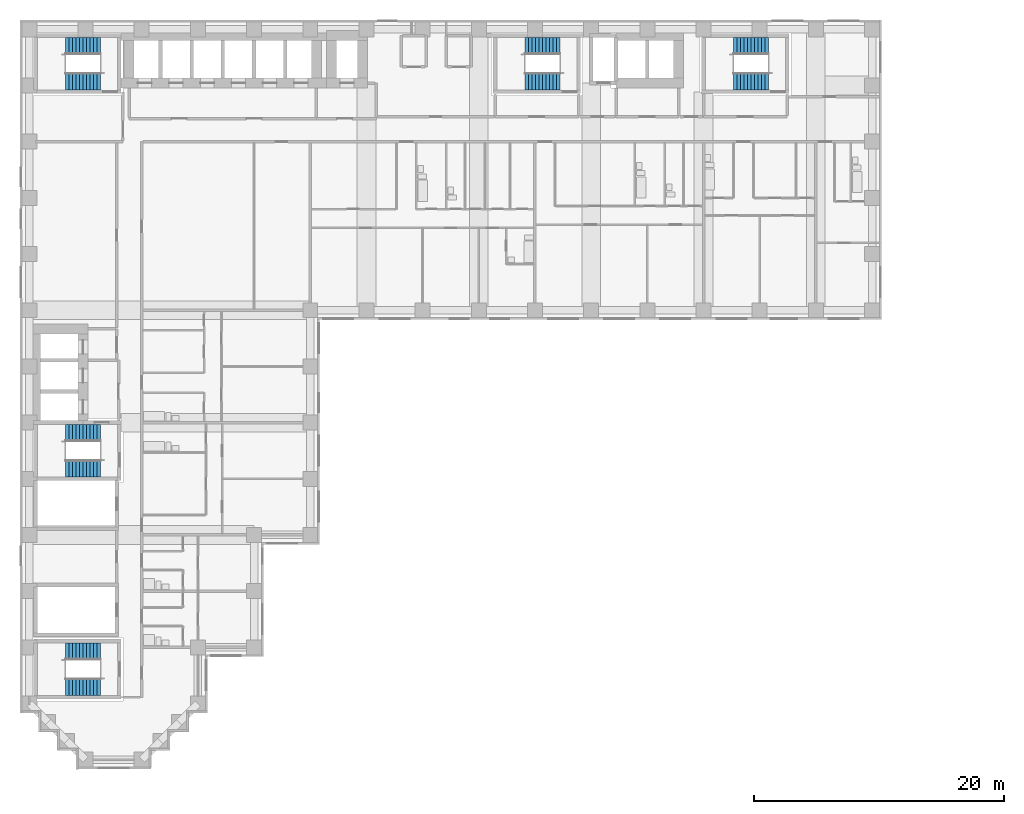
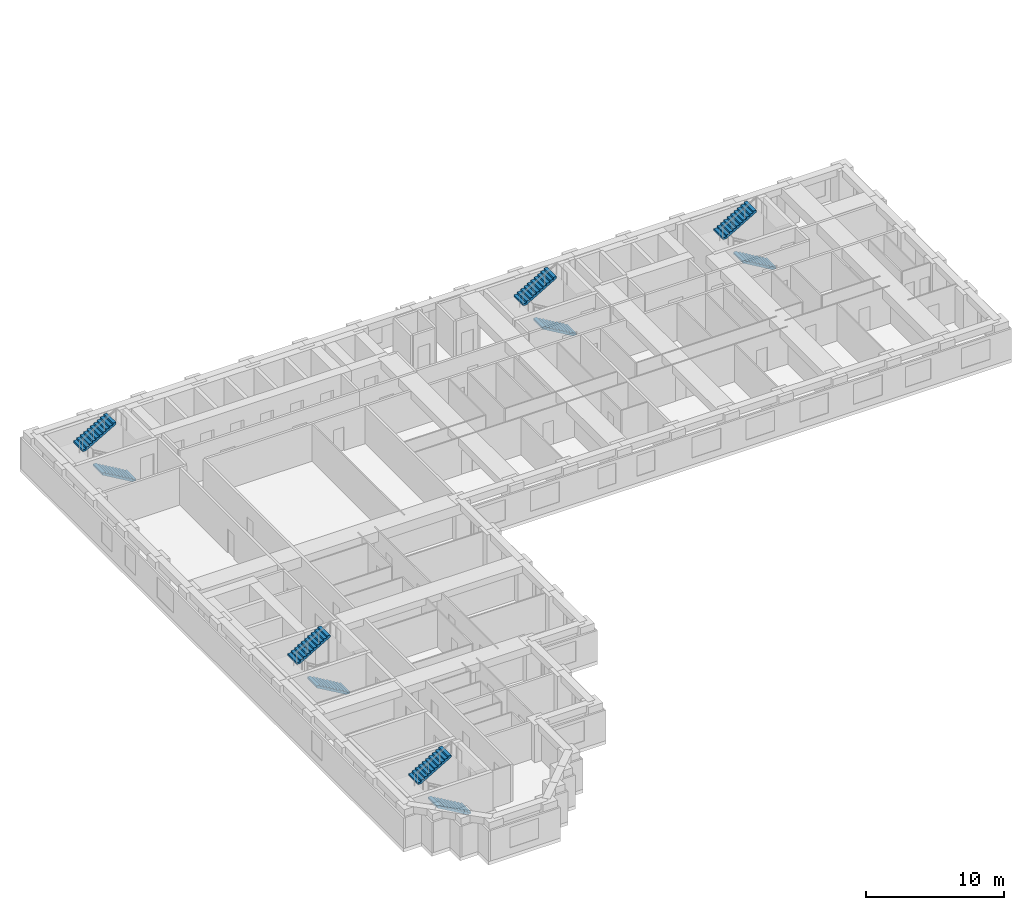
# One storey, part 12 of 14: 10 stair flights, 5 elements without a shape of their own.
"""IFC4 building model written with IfcOpenShell, lengths in metres."""

from ifc_helpers import new_model, si_unit, direction, frame, origin, place, context, subcontext, project, spatial, polyline, outline, extrude, material, type_object, element, aggregate, save


model = new_model("IFC4")

# Units and contexts
model_context = context("Model", 3, precision=1e-05, world=origin(), true_north=direction((0.0, 1.0)))
body_context = subcontext(model_context, "Body", "Model", "MODEL_VIEW")
ifc_project = project(units=[si_unit("LENGTHUNIT", "METRE"), si_unit("AREAUNIT", "SQUARE_METRE"), si_unit("VOLUMEUNIT", "CUBIC_METRE"), si_unit("PLANEANGLEUNIT", "RADIAN"), si_unit("MASSUNIT", "GRAM", prefix="KILO")], contexts=[model_context])

# Site, building, storey
site_placement = place(None, origin())
site = spatial("IfcSite", under=ifc_project, at=site_placement, CompositionType="ELEMENT")
building_placement = place(site_placement, origin())
building = spatial("IfcBuilding", under=site, at=building_placement, Name="Firuza Court", CompositionType="ELEMENT")
storey_placement = place(building_placement, frame((0.0, 0.0, 32.60009765625)))
storey = spatial("IfcBuildingStorey", under=building, at=storey_placement, Name="L06", CompositionType="ELEMENT", Elevation=32.60009765625)

# Stair, stair flights
ifc_material_1 = material(Name="Concrete C40/50 precast", Category="concrete")
stair_type = type_object("IfcStairType", Name="Stair 1350 x 3600 2 flights", PredefinedType="HALF_TURN_STAIR", material=ifc_material_1)
stair_1_placement = place(storey_placement, origin())
stair_1 = element("IfcStair", 1, at=stair_1_placement, inside=storey, type_object=stair_type, Name="Stair 1 L06", PredefinedType="HALF_TURN_STAIR")
ifc_material_2 = material(Name="Concrete C40/50 precast", Category="concrete")
stair_flight_type = type_object("IfcStairFlightType", Name="Flight 1350 riser 163.6", PredefinedType="STRAIGHT", material=ifc_material_2)
stair_flight_1_placement = place(storey_placement, frame((42.5, 54.324951171875, 0.0), z_axis=(0.0, 0.0, 1.0), x_axis=(-1.0, 0.0, 0.0)))
stair_flight_1 = element("IfcStairFlight", 2, at=stair_flight_1_placement, type_object=stair_flight_type, Name="S1 flight 1", NumberOfRisers=11, NumberOfTreads=10, PredefinedType="STRAIGHT", RiserHeight=0.163636364, TreadLength=0.28, context=body_context, shape_type="SweptSolid", body=[
    extrude(outline(polyline([(0.0, 0.0), (0.0, 0.16357421875), (0.280029296875, 0.16357421875), (0.280029296875, 0.327392578125), (0.56005859375, 0.327392578125), (0.56005859375, 0.490966796875), (0.840087890625, 0.490966796875), (0.840087890625, 0.654541015625), (1.1201171875, 0.654541015625), (1.1201171875, 0.818115234375), (1.39990234375, 0.818115234375), (1.39990234375, 0.98193359375), (1.679931640625, 0.98193359375), (1.679931640625, 1.1455078125), (1.9599609375, 1.1455078125), (1.9599609375, 1.30908203125), (2.239990234375, 1.30908203125), (2.239990234375, 1.47265625), (2.52001953125, 1.47265625), (2.52001953125, 1.636474609375), (2.800048828125, 1.636474609375), (2.800048828125, 1.800048828125), (2.800048828125, 1.462646484375), (0.297119140625, 0.0), (0.0, 0.0)])), frame((0.0, 0.675048828125, 0.0), z_axis=(0.0, -1.0, 0.0), x_axis=(1.0, 0.0, 0.0)), (0.0, 0.0, 1.0), 1.35009765625),
])
stair_flight_2_placement = place(storey_placement, frame((39.699951171875, 57.175048828125, 1.7998046875), z_axis=(0.0, 0.0, 1.0), x_axis=(1.0, 0.0, 0.0)))
stair_flight_2 = element("IfcStairFlight", 3, at=stair_flight_2_placement, type_object=stair_flight_type, Name="S1 flight 2", NumberOfRisers=11, NumberOfTreads=10, PredefinedType="STRAIGHT", RiserHeight=0.163636364, TreadLength=0.28, context=body_context, shape_type="SweptSolid", body=[
    extrude(outline(polyline([(0.0, 0.0), (0.0, 0.16357421875), (0.280029296875, 0.16357421875), (0.280029296875, 0.327392578125), (0.56005859375, 0.327392578125), (0.56005859375, 0.490966796875), (0.840087890625, 0.490966796875), (0.840087890625, 0.654541015625), (1.1201171875, 0.654541015625), (1.1201171875, 0.818115234375), (1.39990234375, 0.818115234375), (1.39990234375, 0.98193359375), (1.679931640625, 0.98193359375), (1.679931640625, 1.1455078125), (1.9599609375, 1.1455078125), (1.9599609375, 1.30908203125), (2.239990234375, 1.30908203125), (2.239990234375, 1.47265625), (2.52001953125, 1.47265625), (2.52001953125, 1.636474609375), (2.800048828125, 1.636474609375), (2.800048828125, 1.800048828125), (2.800048828125, 1.462646484375), (0.297119140625, 0.0), (0.0, 0.0)])), frame((0.0, 0.675048828125, 0.0), z_axis=(0.0, -1.0, 0.0), x_axis=(1.0, 0.0, 0.0)), (0.0, 0.0, 1.0), 1.35009765625),
])
aggregate(stair_1, [stair_flight_1, stair_flight_2])

stair_2_placement = place(storey_placement, origin())
stair_2 = element("IfcStair", 4, at=stair_2_placement, inside=storey, type_object=stair_type, Name="Stair 2 L06", PredefinedType="HALF_TURN_STAIR")
stair_flight_3_placement = place(storey_placement, frame((5.699951171875, 23.324951171875, 0.0), z_axis=(0.0, 0.0, 1.0), x_axis=(-1.0, 0.0, 0.0)))
stair_flight_3 = element("IfcStairFlight", 5, at=stair_flight_3_placement, type_object=stair_flight_type, Name="S2 flight 1", NumberOfRisers=11, NumberOfTreads=10, PredefinedType="STRAIGHT", RiserHeight=0.163636364, TreadLength=0.28, context=body_context, shape_type="SweptSolid", body=[
    extrude(outline(polyline([(0.0, 0.0), (0.0, 0.16357421875), (0.280029296875, 0.16357421875), (0.280029296875, 0.327392578125), (0.56005859375, 0.327392578125), (0.56005859375, 0.490966796875), (0.840087890625, 0.490966796875), (0.840087890625, 0.654541015625), (1.1201171875, 0.654541015625), (1.1201171875, 0.818115234375), (1.39990234375, 0.818115234375), (1.39990234375, 0.98193359375), (1.679931640625, 0.98193359375), (1.679931640625, 1.1455078125), (1.9599609375, 1.1455078125), (1.9599609375, 1.30908203125), (2.239990234375, 1.30908203125), (2.239990234375, 1.47265625), (2.52001953125, 1.47265625), (2.52001953125, 1.636474609375), (2.800048828125, 1.636474609375), (2.800048828125, 1.800048828125), (2.800048828125, 1.462646484375), (0.297119140625, 0.0), (0.0, 0.0)])), frame((0.0, 0.675048828125, 0.0), z_axis=(0.0, -1.0, 0.0), x_axis=(1.0, 0.0, 0.0)), (0.0, 0.0, 1.0), 1.35009765625),
])
stair_flight_4_placement = place(storey_placement, frame((2.89990234375, 26.175048828125, 1.7998046875), z_axis=(0.0, 0.0, 1.0), x_axis=(1.0, 0.0, 0.0)))
stair_flight_4 = element("IfcStairFlight", 6, at=stair_flight_4_placement, type_object=stair_flight_type, Name="S2 flight 2", NumberOfRisers=11, NumberOfTreads=10, PredefinedType="STRAIGHT", RiserHeight=0.163636364, TreadLength=0.28, context=body_context, shape_type="SweptSolid", body=[
    extrude(outline(polyline([(0.0, 0.0), (0.0, 0.16357421875), (0.280029296875, 0.16357421875), (0.280029296875, 0.327392578125), (0.56005859375, 0.327392578125), (0.56005859375, 0.490966796875), (0.840087890625, 0.490966796875), (0.840087890625, 0.654541015625), (1.1201171875, 0.654541015625), (1.1201171875, 0.818115234375), (1.39990234375, 0.818115234375), (1.39990234375, 0.98193359375), (1.679931640625, 0.98193359375), (1.679931640625, 1.1455078125), (1.9599609375, 1.1455078125), (1.9599609375, 1.30908203125), (2.239990234375, 1.30908203125), (2.239990234375, 1.47265625), (2.52001953125, 1.47265625), (2.52001953125, 1.636474609375), (2.800048828125, 1.636474609375), (2.800048828125, 1.800048828125), (2.800048828125, 1.462646484375), (0.297119140625, 0.0), (0.0, 0.0)])), frame((0.0, 0.675048828125, 0.0), z_axis=(0.0, -1.0, 0.0), x_axis=(1.0, 0.0, 0.0)), (0.0, 0.0, 1.0), 1.35009765625),
])
aggregate(stair_2, [stair_flight_3, stair_flight_4])

stair_3_placement = place(storey_placement, origin())
stair_3 = element("IfcStair", 7, at=stair_3_placement, inside=storey, type_object=stair_type, Name="Stair 3 L06", PredefinedType="HALF_TURN_STAIR")
stair_flight_5_placement = place(storey_placement, frame((5.699951171875, 54.324951171875, 0.0), z_axis=(0.0, 0.0, 1.0), x_axis=(-1.0, 0.0, 0.0)))
stair_flight_5 = element("IfcStairFlight", 8, at=stair_flight_5_placement, type_object=stair_flight_type, Name="S3 flight 1", NumberOfRisers=11, NumberOfTreads=10, PredefinedType="STRAIGHT", RiserHeight=0.163636364, TreadLength=0.28, context=body_context, shape_type="SweptSolid", body=[
    extrude(outline(polyline([(0.0, 0.0), (0.0, 0.16357421875), (0.280029296875, 0.16357421875), (0.280029296875, 0.327392578125), (0.56005859375, 0.327392578125), (0.56005859375, 0.490966796875), (0.840087890625, 0.490966796875), (0.840087890625, 0.654541015625), (1.1201171875, 0.654541015625), (1.1201171875, 0.818115234375), (1.39990234375, 0.818115234375), (1.39990234375, 0.98193359375), (1.679931640625, 0.98193359375), (1.679931640625, 1.1455078125), (1.9599609375, 1.1455078125), (1.9599609375, 1.30908203125), (2.239990234375, 1.30908203125), (2.239990234375, 1.47265625), (2.52001953125, 1.47265625), (2.52001953125, 1.636474609375), (2.800048828125, 1.636474609375), (2.800048828125, 1.800048828125), (2.800048828125, 1.462646484375), (0.297119140625, 0.0), (0.0, 0.0)])), frame((0.0, 0.675048828125, 0.0), z_axis=(0.0, -1.0, 0.0), x_axis=(1.0, 0.0, 0.0)), (0.0, 0.0, 1.0), 1.35009765625),
])
stair_flight_6_placement = place(storey_placement, frame((2.89990234375, 57.175048828125, 1.7998046875), z_axis=(0.0, 0.0, 1.0), x_axis=(1.0, 0.0, 0.0)))
stair_flight_6 = element("IfcStairFlight", 9, at=stair_flight_6_placement, type_object=stair_flight_type, Name="S3 flight 2", NumberOfRisers=11, NumberOfTreads=10, PredefinedType="STRAIGHT", RiserHeight=0.163636364, TreadLength=0.28, context=body_context, shape_type="SweptSolid", body=[
    extrude(outline(polyline([(0.0, 0.0), (0.0, 0.16357421875), (0.280029296875, 0.16357421875), (0.280029296875, 0.327392578125), (0.56005859375, 0.327392578125), (0.56005859375, 0.490966796875), (0.840087890625, 0.490966796875), (0.840087890625, 0.654541015625), (1.1201171875, 0.654541015625), (1.1201171875, 0.818115234375), (1.39990234375, 0.818115234375), (1.39990234375, 0.98193359375), (1.679931640625, 0.98193359375), (1.679931640625, 1.1455078125), (1.9599609375, 1.1455078125), (1.9599609375, 1.30908203125), (2.239990234375, 1.30908203125), (2.239990234375, 1.47265625), (2.52001953125, 1.47265625), (2.52001953125, 1.636474609375), (2.800048828125, 1.636474609375), (2.800048828125, 1.800048828125), (2.800048828125, 1.462646484375), (0.297119140625, 0.0), (0.0, 0.0)])), frame((0.0, 0.675048828125, 0.0), z_axis=(0.0, -1.0, 0.0), x_axis=(1.0, 0.0, 0.0)), (0.0, 0.0, 1.0), 1.35009765625),
])
aggregate(stair_3, [stair_flight_5, stair_flight_6])

stair_4_placement = place(storey_placement, origin())
stair_4 = element("IfcStair", 10, at=stair_4_placement, inside=storey, type_object=stair_type, Name="Stair 4 L06", PredefinedType="HALF_TURN_STAIR")
stair_flight_7_placement = place(storey_placement, frame((59.199951171875, 54.324951171875, 0.0), z_axis=(0.0, 0.0, 1.0), x_axis=(-1.0, 0.0, 0.0)))
stair_flight_7 = element("IfcStairFlight", 11, at=stair_flight_7_placement, type_object=stair_flight_type, Name="S4 flight 1", NumberOfRisers=11, NumberOfTreads=10, PredefinedType="STRAIGHT", RiserHeight=0.163636364, TreadLength=0.28, context=body_context, shape_type="SweptSolid", body=[
    extrude(outline(polyline([(0.0, 0.0), (0.0, 0.16357421875), (0.280029296875, 0.16357421875), (0.280029296875, 0.327392578125), (0.56005859375, 0.327392578125), (0.56005859375, 0.490966796875), (0.840087890625, 0.490966796875), (0.840087890625, 0.654541015625), (1.1201171875, 0.654541015625), (1.1201171875, 0.818115234375), (1.39990234375, 0.818115234375), (1.39990234375, 0.98193359375), (1.679931640625, 0.98193359375), (1.679931640625, 1.1455078125), (1.9599609375, 1.1455078125), (1.9599609375, 1.30908203125), (2.239990234375, 1.30908203125), (2.239990234375, 1.47265625), (2.52001953125, 1.47265625), (2.52001953125, 1.636474609375), (2.800048828125, 1.636474609375), (2.800048828125, 1.800048828125), (2.800048828125, 1.462646484375), (0.297119140625, 0.0), (0.0, 0.0)])), frame((0.0, 0.675048828125, 0.0), z_axis=(0.0, -1.0, 0.0), x_axis=(1.0, 0.0, 0.0)), (0.0, 0.0, 1.0), 1.35009765625),
])
stair_flight_8_placement = place(storey_placement, frame((56.39990234375, 57.175048828125, 1.7998046875), z_axis=(0.0, 0.0, 1.0), x_axis=(1.0, 0.0, 0.0)))
stair_flight_8 = element("IfcStairFlight", 12, at=stair_flight_8_placement, type_object=stair_flight_type, Name="S4 flight 2", NumberOfRisers=11, NumberOfTreads=10, PredefinedType="STRAIGHT", RiserHeight=0.163636364, TreadLength=0.28, context=body_context, shape_type="SweptSolid", body=[
    extrude(outline(polyline([(0.0, 0.0), (0.0, 0.16357421875), (0.280029296875, 0.16357421875), (0.280029296875, 0.327392578125), (0.56005859375, 0.327392578125), (0.56005859375, 0.490966796875), (0.840087890625, 0.490966796875), (0.840087890625, 0.654541015625), (1.1201171875, 0.654541015625), (1.1201171875, 0.818115234375), (1.39990234375, 0.818115234375), (1.39990234375, 0.98193359375), (1.679931640625, 0.98193359375), (1.679931640625, 1.1455078125), (1.9599609375, 1.1455078125), (1.9599609375, 1.30908203125), (2.239990234375, 1.30908203125), (2.239990234375, 1.47265625), (2.52001953125, 1.47265625), (2.52001953125, 1.636474609375), (2.800048828125, 1.636474609375), (2.800048828125, 1.800048828125), (2.800048828125, 1.462646484375), (0.297119140625, 0.0), (0.0, 0.0)])), frame((0.0, 0.675048828125, 0.0), z_axis=(0.0, -1.0, 0.0), x_axis=(1.0, 0.0, 0.0)), (0.0, 0.0, 1.0), 1.35009765625),
])
aggregate(stair_4, [stair_flight_7, stair_flight_8])

stair_5_placement = place(storey_placement, origin())
stair_5 = element("IfcStair", 13, at=stair_5_placement, inside=storey, type_object=stair_type, Name="Stair 5 L06", PredefinedType="HALF_TURN_STAIR")
stair_flight_9_placement = place(storey_placement, frame((5.699951171875, 5.824951171875, 0.0), z_axis=(0.0, 0.0, 1.0), x_axis=(-1.0, 0.0, 0.0)))
stair_flight_9 = element("IfcStairFlight", 14, at=stair_flight_9_placement, type_object=stair_flight_type, Name="S5 flight 1", NumberOfRisers=11, NumberOfTreads=10, PredefinedType="STRAIGHT", RiserHeight=0.163636364, TreadLength=0.28, context=body_context, shape_type="SweptSolid", body=[
    extrude(outline(polyline([(0.0, 0.0), (0.0, 0.16357421875), (0.280029296875, 0.16357421875), (0.280029296875, 0.327392578125), (0.56005859375, 0.327392578125), (0.56005859375, 0.490966796875), (0.840087890625, 0.490966796875), (0.840087890625, 0.654541015625), (1.1201171875, 0.654541015625), (1.1201171875, 0.818115234375), (1.39990234375, 0.818115234375), (1.39990234375, 0.98193359375), (1.679931640625, 0.98193359375), (1.679931640625, 1.1455078125), (1.9599609375, 1.1455078125), (1.9599609375, 1.30908203125), (2.239990234375, 1.30908203125), (2.239990234375, 1.47265625), (2.52001953125, 1.47265625), (2.52001953125, 1.636474609375), (2.800048828125, 1.636474609375), (2.800048828125, 1.800048828125), (2.800048828125, 1.462646484375), (0.297119140625, 0.0), (0.0, 0.0)])), frame((0.0, 0.675048828125, 0.0), z_axis=(0.0, -1.0, 0.0), x_axis=(1.0, 0.0, 0.0)), (0.0, 0.0, 1.0), 1.35009765625),
])
stair_flight_10_placement = place(storey_placement, frame((2.89990234375, 8.675048828125, 1.7998046875), z_axis=(0.0, 0.0, 1.0), x_axis=(1.0, 0.0, 0.0)))
stair_flight_10 = element("IfcStairFlight", 15, at=stair_flight_10_placement, type_object=stair_flight_type, Name="S5 flight 2", NumberOfRisers=11, NumberOfTreads=10, PredefinedType="STRAIGHT", RiserHeight=0.163636364, TreadLength=0.28, context=body_context, shape_type="SweptSolid", body=[
    extrude(outline(polyline([(0.0, 0.0), (0.0, 0.16357421875), (0.280029296875, 0.16357421875), (0.280029296875, 0.327392578125), (0.56005859375, 0.327392578125), (0.56005859375, 0.490966796875), (0.840087890625, 0.490966796875), (0.840087890625, 0.654541015625), (1.1201171875, 0.654541015625), (1.1201171875, 0.818115234375), (1.39990234375, 0.818115234375), (1.39990234375, 0.98193359375), (1.679931640625, 0.98193359375), (1.679931640625, 1.1455078125), (1.9599609375, 1.1455078125), (1.9599609375, 1.30908203125), (2.239990234375, 1.30908203125), (2.239990234375, 1.47265625), (2.52001953125, 1.47265625), (2.52001953125, 1.636474609375), (2.800048828125, 1.636474609375), (2.800048828125, 1.800048828125), (2.800048828125, 1.462646484375), (0.297119140625, 0.0), (0.0, 0.0)])), frame((0.0, 0.675048828125, 0.0), z_axis=(0.0, -1.0, 0.0), x_axis=(1.0, 0.0, 0.0)), (0.0, 0.0, 1.0), 1.35009765625),
])
aggregate(stair_5, [stair_flight_9, stair_flight_10])

save(model, "model.ifc")
